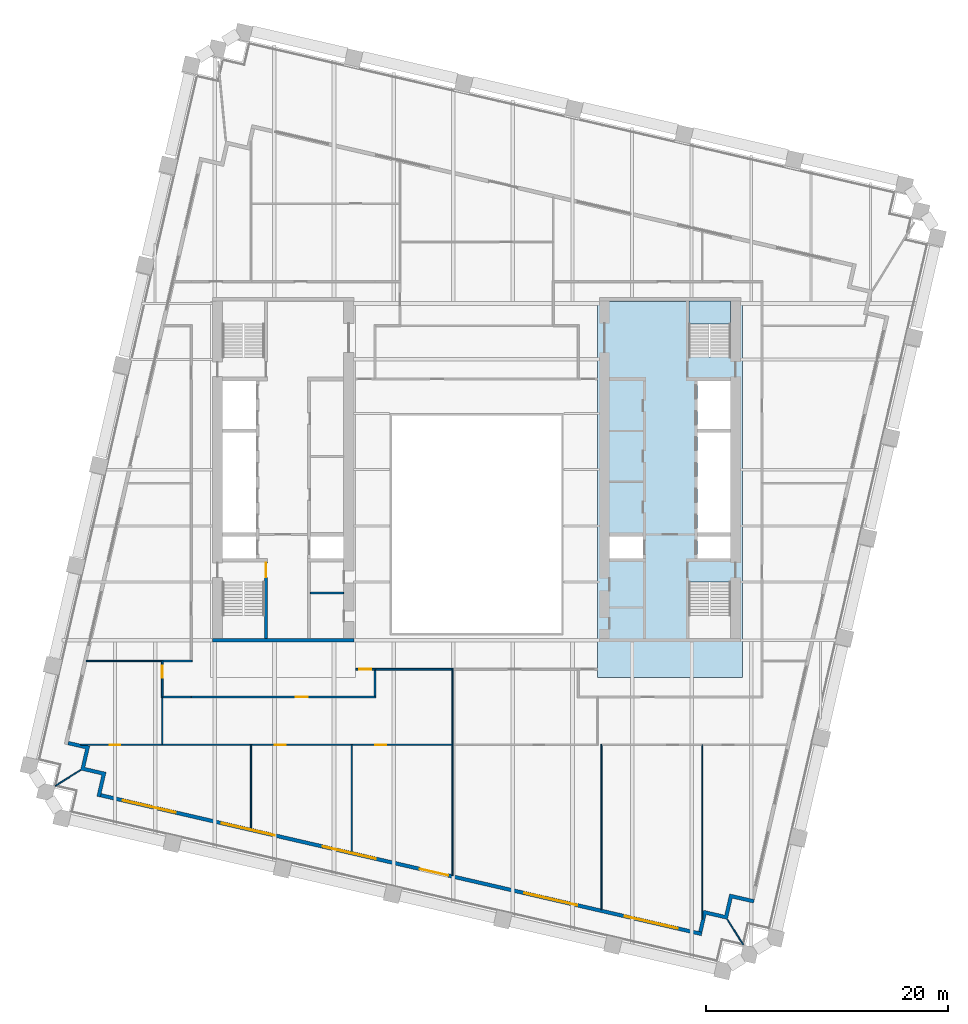
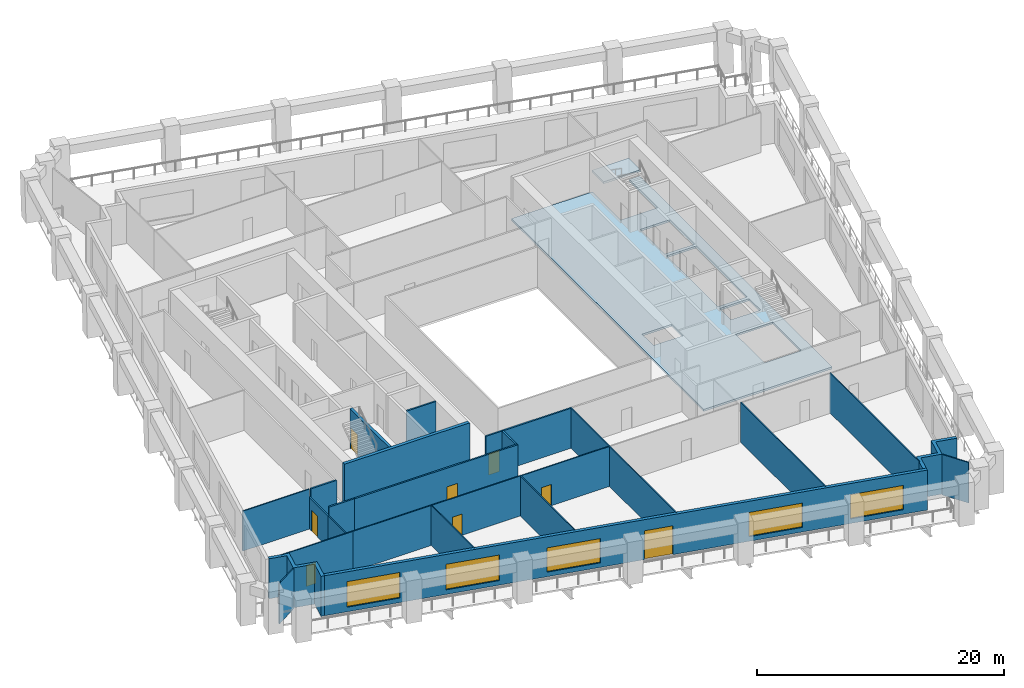
# One storey, part 3 of 10: 27 walls, 8 doors, 5 windows, 2 slabs, 13 openings, 1 element without a shape of its own.
"""IFC4 building model written with IfcOpenShell, lengths in metres."""

from ifc_helpers import new_model, si_unit, direction, frame, frame_2d, origin, place, context, subcontext, project, spatial, polyline, rectangle, outline, extrude, material, layer, layer_set, type_object, element, fill, aggregate, save


model = new_model("IFC4")

# Units and contexts
model_context = context("Model", 3, precision=1e-05, world=origin(), true_north=direction((0.0, 1.0)))
body_context = subcontext(model_context, "Body", "Model", "MODEL_VIEW")
ifc_project = project(units=[si_unit("LENGTHUNIT", "METRE"), si_unit("AREAUNIT", "SQUARE_METRE"), si_unit("VOLUMEUNIT", "CUBIC_METRE"), si_unit("PLANEANGLEUNIT", "RADIAN"), si_unit("MASSUNIT", "GRAM", prefix="KILO")], contexts=[model_context])

# Site, building, storey
site_placement = place(None, origin())
site = spatial("IfcSite", under=ifc_project, at=site_placement, CompositionType="ELEMENT")
building_placement = place(site_placement, origin())
building = spatial("IfcBuilding", under=site, at=building_placement, Name="Ogive Exchange Tower", CompositionType="ELEMENT")
storey_placement = place(building_placement, frame((0.0, 0.0, 151.800048828125)))
storey = spatial("IfcBuildingStorey", under=building, at=storey_placement, Name="L33", CompositionType="ELEMENT", Elevation=151.800048828125)

# Slab
ifc_material_1 = material(Name="Concrete C70/85", Category="concrete")
ifc_layer_1 = layer(ifc_material_1, 0.199951171875)
ifc_layer_set_1 = layer_set([ifc_layer_1], Name="Core floor slab 200")
slab_type_1 = type_object("IfcSlabType", Name="Core floor slab 200", PredefinedType="FLOOR", material=ifc_layer_set_1)
slab_1_placement = place(storey_placement, frame((0.0, 0.0, -0.199951171875)))
element("IfcSlab", 1, at=slab_1_placement, inside=storey, type_object=slab_type_1, Name="Core floor slab", PredefinedType="FLOOR", context=body_context, shape_type="SweptSolid", body=[
    extrude(outline(polyline([(22.0, 25.39990234375), (22.0, -5.699951171875), (10.0, -5.699951171875), (10.0, 25.39990234375), (17.550048828125, 25.39990234375), (17.550048828125, 20.803955078125), (21.0, 20.803955078125), (21.0, 25.39990234375), (22.0, 25.39990234375)]), holes=[polyline([(21.0, 2.196044921875), (17.550048828125, 2.196044921875), (17.550048828125, -2.449951171875), (21.0, -2.449951171875), (21.0, 2.196044921875)]), polyline([(13.75, 5.992919921875), (11.0, 5.992919921875), (11.0, 4.14990234375), (13.75, 4.14990234375), (13.75, 5.992919921875)]), polyline([(21.0, 5.992919921875), (18.25, 5.992919921875), (18.25, 4.14990234375), (21.0, 4.14990234375), (21.0, 5.992919921875)]), polyline([(18.25, 14.564208984375), (18.25, 6.29296875), (21.0, 6.29296875), (21.0, 14.564208984375), (18.25, 14.564208984375)]), polyline([(21.0, 18.85009765625), (18.25, 18.85009765625), (18.25, 14.8642578125), (21.0, 14.8642578125), (21.0, 18.85009765625)])]), origin(), (0.0, 0.0, 1.0), 0.199951171875),
])

# Stair, slab
ifc_material_2 = material(Name="Concrete C40/50", Category="concrete")
stair_type = type_object("IfcStairType", Name="Exit stair 1650 wide", PredefinedType="HALF_TURN_STAIR", material=ifc_material_2)
stair_placement = place(storey_placement, origin())
stair = element("IfcStair", 2, at=stair_placement, inside=storey, type_object=stair_type, Name="L33 exit stair ST4", PredefinedType="HALF_TURN_STAIR")
ifc_layer_2 = layer(ifc_material_2, 0.199951171875)
ifc_layer_set_2 = layer_set([ifc_layer_2], Name="Stair landing 200 slab")
slab_type_2 = type_object("IfcSlabType", Name="Stair landing 200 slab", PredefinedType="LANDING", material=ifc_layer_set_2)
slab_2_placement = place(storey_placement, frame((0.0, 0.0, 1.89990234375)))
slab_2 = element("IfcSlab", 3, at=slab_2_placement, type_object=slab_type_2, Name="ST4 landing 1", PredefinedType="LANDING", context=body_context, shape_type="SweptSolid", body=[
    extrude(outline(polyline([(21.0, 23.550048828125), (21.0, 25.449951171875), (17.550048828125, 25.449951171875), (17.550048828125, 23.550048828125), (21.0, 23.550048828125)])), origin(), (0.0, 0.0, 1.0), 0.199951171875),
])
aggregate(stair, [slab_2])

# Wall
ifc_material_3 = material(Name="Gypsum board partition")
ifc_layer_3 = layer(ifc_material_3, 0.14990234375)
ifc_layer_set_3 = layer_set([ifc_layer_3], Name="Core room partition 150 gypsum")
wall_type_1 = type_object("IfcWallType", Name="Core room partition 150 gypsum", PredefinedType="PARTITIONING", material=ifc_layer_set_3)
wall_1_placement = place(storey_placement, frame((-13.75, 1.300048828125, 0.0), z_axis=(0.0, 0.0, 1.0), x_axis=(1.0, 0.0, 0.0)))
element("IfcWall", 4, at=wall_1_placement, inside=storey, type_object=wall_type_1, Name="W south room partition", PredefinedType="PARTITIONING", context=body_context, shape_type="SweptSolid", body=[
    extrude(rectangle(XDim=2.75, YDim=0.14990234375, at=frame_2d((1.375, 0.0))), origin(), (0.0, 0.0, 1.0), 3.949951171875),
])

# Wall, opening, door
ifc_material_4 = material(Name="Fire partition EI 60 150")
ifc_layer_4 = layer(ifc_material_4, 0.14990234375)
ifc_layer_set_4 = layer_set([ifc_layer_4], Name="Fire partition EI 60 150")
wall_type_2 = type_object("IfcWallType", Name="Fire partition EI 60 150", PredefinedType="PARTITIONING", material=ifc_layer_set_4)
wall_2_placement = place(storey_placement, frame((-26.0, -7.364990234375, 0.0), z_axis=(0.0, 0.0, 1.0), x_axis=(0.0, 1.0, 0.0)))
wall_2 = element("IfcWall", 5, at=wall_2_placement, inside=storey, type_object=wall_type_2, Name="L33-PWL-003", PredefinedType="PARTITIONING", context=body_context, shape_type="SweptSolid", body=[
    extrude(rectangle(XDim=3.094970703125, YDim=0.14990234375, at=frame_2d((1.54736328125, 0.0))), origin(), (0.0, 0.0, 1.0), 3.114013671875),
])
opening_1_placement = place(wall_2_placement, frame((1.64501953125, 0.0, 0.0)))
opening_1 = element("IfcOpeningElement", 6, at=opening_1_placement, cuts=wall_2, Name="Opening L33-I16", PredefinedType="OPENING", context=body_context, shape_type="SweptSolid", body=[
    extrude(rectangle(XDim=1.0, YDim=2.10009765625, at=frame_2d((0.5, 1.050048828125))), frame((0.0, 0.0849609375, 0.0), z_axis=(0.0, -1.0, 0.0), x_axis=(1.0, 0.0, 0.0)), (0.0, 0.0, 1.0), 0.169921875),
])
ifc_material_5 = material(Name="Fire door FD 30S 1000 x 2100")
door_type_1 = type_object("IfcDoorType", Name="Fire door FD 30S 1000 x 2100", OperationType="NOTDEFINED", PredefinedType="DOOR", material=ifc_material_5)
door_1_placement = place(opening_1_placement, origin())
door_1 = element("IfcDoor", 7, at=door_1_placement, inside=storey, type_object=door_type_1, Name="L33-IDR-016", ObjectType="DT3", OperationType="SINGLE_SWING_LEFT", OverallHeight=2.10009765625, OverallWidth=1.0, PredefinedType="DOOR", context=body_context, shape_type="SweptSolid", body=[
    extrude(rectangle(XDim=1.0, YDim=2.10009765625, at=frame_2d((0.5, 1.050048828125))), frame((0.0, 0.02490234375, 0.0), z_axis=(0.0, -1.0, 0.0), x_axis=(1.0, 0.0, 0.0)), (0.0, 0.0, 1.0), 0.050048828125),
])
fill(opening_1, door_1)

# Walls
wall_3_placement = place(storey_placement, frame((-25.925048828125, -4.320068359375, 0.0), z_axis=(0.0, 0.0, 1.0), x_axis=(1.0, 0.0, 0.0)))
element("IfcWall", 8, at=wall_3_placement, inside=storey, type_object=wall_type_2, Name="L33-PWL-005", PredefinedType="PARTITIONING", context=body_context, shape_type="SweptSolid", body=[
    extrude(rectangle(XDim=2.400146484375, YDim=0.14990234375, at=frame_2d((1.2001953125, 0.0))), origin(), (0.0, 0.0, 1.0), 3.949951171875),
])
wall_4_placement = place(storey_placement, frame((-23.60009765625, -7.2900390625, 0.0), z_axis=(0.0, 0.0, 1.0), x_axis=(-1.0, 0.0, 0.0)))
element("IfcWall", 9, at=wall_4_placement, inside=storey, type_object=wall_type_2, Name="L33-PWL-007", PredefinedType="PARTITIONING", context=body_context, shape_type="SweptSolid", body=[
    extrude(rectangle(XDim=2.349853515625, YDim=0.14990234375, at=frame_2d((1.1748046875, 0.0))), origin(), (0.0, 0.0, 1.0), 3.949951171875),
])

# Wall, opening, door
wall_5_placement = place(storey_placement, frame((-8.324951171875, -7.300048828125, 0.0), z_axis=(0.0, 0.0, 1.0), x_axis=(-1.0, 0.0, 0.0)))
wall_5 = element("IfcWall", 10, at=wall_5_placement, inside=storey, type_object=wall_type_2, Name="L33-PWL-021", PredefinedType="PARTITIONING", context=body_context, shape_type="SweptSolid", body=[
    extrude(rectangle(XDim=15.275146484375, YDim=0.14990234375, at=frame_2d((7.6376953125, 0.0))), origin(), (0.0, 0.0, 1.0), 3.949951171875),
])
opening_2_placement = place(wall_5_placement, frame((5.625, 0.0, 0.0)))
opening_2 = element("IfcOpeningElement", 11, at=opening_2_placement, cuts=wall_5, Name="Opening L33-I15", PredefinedType="OPENING", context=body_context, shape_type="SweptSolid", body=[
    extrude(rectangle(XDim=1.0, YDim=2.10009765625, at=frame_2d((0.5, 1.050048828125))), frame((0.0, 0.0849609375, 0.0), z_axis=(0.0, -1.0, 0.0), x_axis=(1.0, 0.0, 0.0)), (0.0, 0.0, 1.0), 0.169921875),
])
door_2_placement = place(opening_2_placement, origin())
door_2 = element("IfcDoor", 12, at=door_2_placement, inside=storey, type_object=door_type_1, Name="L33-IDR-015", ObjectType="DT3", OperationType="SINGLE_SWING_LEFT", OverallHeight=2.10009765625, OverallWidth=1.0, PredefinedType="DOOR", context=body_context, shape_type="SweptSolid", body=[
    extrude(rectangle(XDim=1.0, YDim=2.10009765625, at=frame_2d((0.5, 1.050048828125))), frame((0.0, 0.02490234375, 0.0), z_axis=(0.0, -1.0, 0.0), x_axis=(1.0, 0.0, 0.0)), (0.0, 0.0, 1.0), 0.050048828125),
])
fill(opening_2, door_2)

# Walls
wall_6_placement = place(storey_placement, frame((-8.39990234375, -4.925048828125, 0.0), z_axis=(0.0, 0.0, 1.0), x_axis=(0.0, -1.0, 0.0)))
element("IfcWall", 13, at=wall_6_placement, inside=storey, type_object=wall_type_2, Name="L33-PWL-022", PredefinedType="PARTITIONING", context=body_context, shape_type="SweptSolid", body=[
    extrude(rectangle(XDim=2.300048828125, YDim=0.14990234375, at=frame_2d((1.14990234375, 0.0))), origin(), (0.0, 0.0, 1.0), 3.949951171875),
])
wall_7_placement = place(storey_placement, frame((-2.0400390625, -5.0, 0.0), z_axis=(0.0, 0.0, 1.0), x_axis=(-1.0, 0.0, 0.0)))
element("IfcWall", 14, at=wall_7_placement, inside=storey, type_object=wall_type_2, Name="L33-PWL-036", PredefinedType="PARTITIONING", context=body_context, shape_type="SweptSolid", body=[
    extrude(rectangle(XDim=6.284912109375, YDim=0.14990234375, at=frame_2d((3.142578125, 0.0))), origin(), (0.0, 0.0, 1.0), 3.949951171875),
])

# Wall, opening, door
wall_8_placement = place(storey_placement, frame((-8.39990234375, -5.0, 0.0), z_axis=(0.0, 0.0, 1.0), x_axis=(-1.0, 0.0, 0.0)))
wall_8 = element("IfcWall", 15, at=wall_8_placement, inside=storey, type_object=wall_type_2, Name="L33-PWL-065", PredefinedType="PARTITIONING", context=body_context, shape_type="SweptSolid", body=[
    extrude(rectangle(XDim=1.60009765625, YDim=0.14990234375, at=frame_2d((0.800048828125, 0.0))), origin(), (0.0, 0.0, 1.0), 3.949951171875),
])
opening_3_placement = place(wall_8_placement, frame((0.300048828125, 0.0, 0.0)))
opening_3 = element("IfcOpeningElement", 16, at=opening_3_placement, cuts=wall_8, Name="Opening L33-I24", PredefinedType="OPENING", context=body_context, shape_type="SweptSolid", body=[
    extrude(rectangle(XDim=1.0, YDim=2.10009765625, at=frame_2d((0.5, 1.050048828125))), frame((0.0, 0.0849609375, 0.0), z_axis=(0.0, -1.0, 0.0), x_axis=(1.0, 0.0, 0.0)), (0.0, 0.0, 1.0), 0.169921875),
])
door_3_placement = place(opening_3_placement, origin())
door_3 = element("IfcDoor", 17, at=door_3_placement, inside=storey, type_object=door_type_1, Name="L33-IDR-024", ObjectType="DT3", OperationType="SINGLE_SWING_RIGHT", OverallHeight=2.10009765625, OverallWidth=1.0, PredefinedType="DOOR", context=body_context, shape_type="SweptSolid", body=[
    extrude(rectangle(XDim=1.0, YDim=2.10009765625, at=frame_2d((0.5, 1.050048828125))), frame((0.0, 0.02490234375, 0.0), z_axis=(0.0, -1.0, 0.0), x_axis=(1.0, 0.0, 0.0)), (0.0, 0.0, 1.0), 0.050048828125),
])
fill(opening_3, door_3)

# Wall, openings, door, windows
ifc_material_6 = material(Name="Precast concrete C40/50", Category="concrete")
ifc_layer_5 = layer(ifc_material_6, 0.300048828125)
ifc_layer_set_5 = layer_set([ifc_layer_5], Name="Limestone-faced wall 300")
wall_type_3 = type_object("IfcWallType", Name="Limestone-faced wall 300", PredefinedType="STANDARD", material=ifc_layer_set_5)
wall_9_placement = place(storey_placement, frame((-31.07763671875, -15.4208984375, 0.0), z_axis=(0.0, 0.0, 1.0), x_axis=(0.974370456532, -0.224949357493, 0.0)))
wall_9 = element("IfcWall", 18, at=wall_9_placement, inside=storey, type_object=wall_type_3, Name="External wall S1", PredefinedType="STANDARD", context=body_context, shape_type="SweptSolid", body=[
    extrude(rectangle(XDim=51.0, YDim=0.300048828125, at=frame_2d((25.5, 0.0))), origin(), (0.0, 0.0, 1.0), 3.949951171875),
])
opening_4_placement = place(wall_9_placement, frame((1.875, 0.0, 0.449951171875)))
opening_4 = element("IfcOpeningElement", 19, at=opening_4_placement, cuts=wall_9, Name="Opening W1N", PredefinedType="OPENING", context=body_context, shape_type="SweptSolid", body=[
    extrude(rectangle(XDim=4.5, YDim=2.52490234375, at=frame_2d((2.25, 1.262451171875))), frame((0.0, 0.159912109375, 0.0), z_axis=(0.0, -1.0, 0.0), x_axis=(1.0, 0.0, 0.0)), (0.0, 0.0, 1.0), 0.320068359375),
])
opening_5_placement = place(wall_9_placement, frame((10.27490234375, 0.0, 0.449951171875)))
opening_5 = element("IfcOpeningElement", 20, at=opening_5_placement, cuts=wall_9, Name="Opening W1N", PredefinedType="OPENING", context=body_context, shape_type="SweptSolid", body=[
    extrude(rectangle(XDim=4.5, YDim=2.52490234375, at=frame_2d((2.25, 1.262451171875))), frame((0.0, 0.159912109375, 0.0), z_axis=(0.0, -1.0, 0.0), x_axis=(1.0, 0.0, 0.0)), (0.0, 0.0, 1.0), 0.320068359375),
])
opening_6_placement = place(wall_9_placement, frame((18.824951171875, 0.0, 0.449951171875)))
opening_6 = element("IfcOpeningElement", 21, at=opening_6_placement, cuts=wall_9, Name="Opening W1R", PredefinedType="OPENING", context=body_context, shape_type="SweptSolid", body=[
    extrude(rectangle(XDim=4.5, YDim=2.39990234375, at=frame_2d((2.25, 1.199951171875))), frame((0.0, 0.159912109375, 0.0), z_axis=(0.0, -1.0, 0.0), x_axis=(1.0, 0.0, 0.0)), (0.0, 0.0, 1.0), 0.320068359375),
])
opening_7_placement = place(wall_9_placement, frame((27.074951171875, 0.0, 0.0)))
opening_7 = element("IfcOpeningElement", 22, at=opening_7_placement, cuts=wall_9, Name="Opening D1R", PredefinedType="OPENING", context=body_context, shape_type="SweptSolid", body=[
    extrude(rectangle(XDim=2.39990234375, YDim=2.85009765625, at=frame_2d((1.199951171875, 1.425048828125))), frame((0.0, 0.159912109375, 0.0), z_axis=(0.0, -1.0, 0.0), x_axis=(1.0, 0.0, 0.0)), (0.0, 0.0, 1.0), 0.320068359375),
])
opening_8_placement = place(wall_9_placement, frame((35.925048828125, 0.0, 0.449951171875)))
opening_8 = element("IfcOpeningElement", 23, at=opening_8_placement, cuts=wall_9, Name="Opening W1R", PredefinedType="OPENING", context=body_context, shape_type="SweptSolid", body=[
    extrude(rectangle(XDim=4.5, YDim=2.39990234375, at=frame_2d((2.25, 1.199951171875))), frame((0.0, 0.159912109375, 0.0), z_axis=(0.0, -1.0, 0.0), x_axis=(1.0, 0.0, 0.0)), (0.0, 0.0, 1.0), 0.320068359375),
])
opening_9_placement = place(wall_9_placement, frame((44.47509765625, 0.0, 0.449951171875)))
opening_9 = element("IfcOpeningElement", 24, at=opening_9_placement, cuts=wall_9, Name="Opening W1R", PredefinedType="OPENING", context=body_context, shape_type="SweptSolid", body=[
    extrude(rectangle(XDim=4.5, YDim=2.39990234375, at=frame_2d((2.25, 1.199951171875))), frame((0.0, 0.159912109375, 0.0), z_axis=(0.0, -1.0, 0.0), x_axis=(1.0, 0.0, 0.0)), (0.0, 0.0, 1.0), 0.320068359375),
])
ifc_material_7 = material(Name="Clear glass in bronze frame", Category="glass")
door_type_2 = type_object("IfcDoorType", Name="Sliding loggia door 2400 x 2850", OperationType="DOUBLE_DOOR_SLIDING", PredefinedType="DOOR", material=ifc_material_7)
door_4_placement = place(opening_7_placement, origin())
door_4 = element("IfcDoor", 25, at=door_4_placement, inside=storey, type_object=door_type_2, Name="Loggia door S03", OperationType="DOUBLE_DOOR_SLIDING", OverallHeight=2.85009765625, OverallWidth=2.39990234375, PredefinedType="DOOR", context=body_context, shape_type="SweptSolid", body=[
    extrude(rectangle(XDim=2.39990234375, YDim=2.85009765625, at=frame_2d((1.199951171875, 1.425048828125))), frame((0.0, 0.02490234375, 0.0), z_axis=(0.0, -1.0, 0.0), x_axis=(1.0, 0.0, 0.0)), (0.0, 0.0, 1.0), 0.050048828125),
])
fill(opening_7, door_4)
window_type_1 = type_object("IfcWindowType", Name="Twin lancet window 4500 x 2400", PartitioningType="DOUBLE_PANEL_VERTICAL", PredefinedType="WINDOW", material=ifc_material_7)
window_1_placement = place(opening_6_placement, origin())
window_1 = element("IfcWindow", 26, at=window_1_placement, inside=storey, type_object=window_type_1, Name="Window S02", OverallHeight=2.39990234375, OverallWidth=4.5, PartitioningType="DOUBLE_PANEL_VERTICAL", PredefinedType="WINDOW", context=body_context, shape_type="SweptSolid", body=[
    extrude(rectangle(XDim=4.5, YDim=2.39990234375, at=frame_2d((2.25, 1.199951171875))), frame((0.0, 0.030029296875, 0.0), z_axis=(0.0, -1.0, 0.0), x_axis=(1.0, 0.0, 0.0)), (0.0, 0.0, 1.0), 0.06005859375),
])
fill(opening_6, window_1)
window_2_placement = place(opening_8_placement, origin())
window_2 = element("IfcWindow", 27, at=window_2_placement, inside=storey, type_object=window_type_1, Name="Window S04", OverallHeight=2.39990234375, OverallWidth=4.5, PartitioningType="DOUBLE_PANEL_VERTICAL", PredefinedType="WINDOW", context=body_context, shape_type="SweptSolid", body=[
    extrude(rectangle(XDim=4.5, YDim=2.39990234375, at=frame_2d((2.25, 1.199951171875))), frame((0.0, 0.030029296875, 0.0), z_axis=(0.0, -1.0, 0.0), x_axis=(1.0, 0.0, 0.0)), (0.0, 0.0, 1.0), 0.06005859375),
])
fill(opening_8, window_2)
window_3_placement = place(opening_9_placement, origin())
window_3 = element("IfcWindow", 28, at=window_3_placement, inside=storey, type_object=window_type_1, Name="Window S05", OverallHeight=2.39990234375, OverallWidth=4.5, PartitioningType="DOUBLE_PANEL_VERTICAL", PredefinedType="WINDOW", context=body_context, shape_type="SweptSolid", body=[
    extrude(rectangle(XDim=4.5, YDim=2.39990234375, at=frame_2d((2.25, 1.199951171875))), frame((0.0, 0.030029296875, 0.0), z_axis=(0.0, -1.0, 0.0), x_axis=(1.0, 0.0, 0.0)), (0.0, 0.0, 1.0), 0.06005859375),
])
fill(opening_9, window_3)
window_type_2 = type_object("IfcWindowType", Name="Twin lancet window 4500 x 2525", PartitioningType="DOUBLE_PANEL_VERTICAL", PredefinedType="WINDOW", material=ifc_material_7)
window_4_placement = place(opening_4_placement, origin())
window_4 = element("IfcWindow", 29, at=window_4_placement, inside=storey, type_object=window_type_2, Name="Window S00", OverallHeight=2.52490234375, OverallWidth=4.5, PartitioningType="DOUBLE_PANEL_VERTICAL", PredefinedType="WINDOW", context=body_context, shape_type="SweptSolid", body=[
    extrude(rectangle(XDim=4.5, YDim=2.52490234375, at=frame_2d((2.25, 1.262451171875))), frame((0.0, 0.030029296875, 0.0), z_axis=(0.0, -1.0, 0.0), x_axis=(1.0, 0.0, 0.0)), (0.0, 0.0, 1.0), 0.06005859375),
])
fill(opening_4, window_4)
window_5_placement = place(opening_5_placement, origin())
window_5 = element("IfcWindow", 30, at=window_5_placement, inside=storey, type_object=window_type_2, Name="Window S01", OverallHeight=2.52490234375, OverallWidth=4.5, PartitioningType="DOUBLE_PANEL_VERTICAL", PredefinedType="WINDOW", context=body_context, shape_type="SweptSolid", body=[
    extrude(rectangle(XDim=4.5, YDim=2.52490234375, at=frame_2d((2.25, 1.262451171875))), frame((0.0, 0.030029296875, 0.0), z_axis=(0.0, -1.0, 0.0), x_axis=(1.0, 0.0, 0.0)), (0.0, 0.0, 1.0), 0.06005859375),
])
fill(opening_5, window_5)

# Walls
wall_10_placement = place(storey_placement, origin())
element("IfcWall", 31, at=wall_10_placement, inside=storey, type_object=wall_type_3, Name="External corner wall C1", PredefinedType="STANDARD", context=body_context, shape_type="SweptSolid", body=[
    extrude(outline(polyline([(20.515380859375, -25.330810546875), (20.92041015625, -23.576904296875), (22.966552734375, -24.04931640625), (22.89892578125, -24.341552734375), (21.145263671875, -23.936767578125), (20.740234375, -25.690673828125), (18.986328125, -25.28564453125), (18.64892578125, -26.747314453125), (18.356689453125, -26.6796875), (18.76171875, -24.92578125), (20.515380859375, -25.330810546875)])), origin(), (0.0, 0.0, 1.0), 3.949951171875),
])
wall_11_placement = place(storey_placement, origin())
element("IfcWall", 32, at=wall_11_placement, inside=storey, type_object=wall_type_3, Name="External corner wall C4", PredefinedType="STANDARD", context=body_context, shape_type="SweptSolid", body=[
    extrude(outline(polyline([(-32.392822265625, -13.115966796875), (-30.638916015625, -13.52099609375), (-31.111328125, -15.56689453125), (-31.40380859375, -15.49951171875), (-30.998779296875, -13.74560546875), (-32.752685546875, -13.3408203125), (-32.34765625, -11.5869140625), (-33.809326171875, -11.24951171875), (-33.74169921875, -10.957275390625), (-31.98779296875, -11.362060546875), (-32.392822265625, -13.115966796875)])), origin(), (0.0, 0.0, 1.0), 3.949951171875),
])
ifc_material_8 = material(Name="Laminated safety glass in steel frame", Category="steel")
ifc_layer_6 = layer(ifc_material_8, 0.10009765625)
ifc_layer_set_6 = layer_set([ifc_layer_6], Name="Loggia end screen 100")
wall_type_4 = type_object("IfcWallType", Name="Loggia end screen 100", PredefinedType="STANDARD", material=ifc_layer_set_6)
for number, where, z_axis, x_axis, name in (
    (33, (20.740234375, -25.690673828125, -0.050048828125), (0.0, 0.0, 1.0), (0.529972121605, -0.848015064914, 0.0), "Loggia end screen C1"),
    (34, (-32.752685546875, -13.3408203125, -0.050048828125), (0.0, 0.0, 1.0), (-0.848059759764, -0.529900598103, 0.0), "Loggia end screen C4"),
):
    element("IfcWall", number, at=place(storey_placement, frame(where, z_axis=z_axis, x_axis=x_axis)), inside=storey, type_object=wall_type_4, Name=name, PredefinedType="STANDARD", context=body_context, shape_type="SweptSolid", body=[
        extrude(rectangle(XDim=2.454833984375, YDim=0.10009765625, at=frame_2d((1.2275390625, 0.0))), origin(), (0.0, 0.0, 1.0), 4.0),
    ])

# Wall, opening, door
ifc_material_9 = material(Name="Partition 100 gypsum")
ifc_layer_7 = layer(ifc_material_9, 0.10009765625)
ifc_layer_set_7 = layer_set([ifc_layer_7], Name="Partition 100 gypsum")
wall_type_5 = type_object("IfcWallType", Name="Partition 100 gypsum", PredefinedType="PARTITIONING", material=ifc_layer_set_7)
wall_12_placement = place(storey_placement, frame((-26.0, -11.25, 0.0), z_axis=(0.0, 0.0, 1.0), x_axis=(-1.0, 0.0, 0.0)))
wall_12 = element("IfcWall", 35, at=wall_12_placement, inside=storey, type_object=wall_type_5, Name="L33-PWL-001", PredefinedType="PARTITIONING", context=body_context, shape_type="SweptSolid", body=[
    extrude(rectangle(XDim=6.718017578125, YDim=0.10009765625, at=frame_2d((3.35888671875, 0.0))), origin(), (0.0, 0.0, 1.0), 3.949951171875),
])
opening_10_placement = place(wall_12_placement, frame((3.449951171875, 0.0, 0.0)))
opening_10 = element("IfcOpeningElement", 36, at=opening_10_placement, cuts=wall_12, Name="Opening L33-I22", PredefinedType="OPENING", context=body_context, shape_type="SweptSolid", body=[
    extrude(rectangle(XDim=0.89990234375, YDim=2.10009765625, at=frame_2d((0.449951171875, 1.050048828125))), frame((0.0, 0.06005859375, 0.0), z_axis=(0.0, -1.0, 0.0), x_axis=(1.0, 0.0, 0.0)), (0.0, 0.0, 1.0), 0.1201171875),
])
ifc_material_10 = material(Name="Door 900 x 2100")
door_type_3 = type_object("IfcDoorType", Name="Door 900 x 2100", OperationType="NOTDEFINED", PredefinedType="DOOR", material=ifc_material_10)
door_5_placement = place(opening_10_placement, frame((0.89990234375, 0.0, 0.0), z_axis=(0.0, 0.0, 1.0), x_axis=(-1.0, 0.0, 0.0)))
door_5 = element("IfcDoor", 37, at=door_5_placement, inside=storey, type_object=door_type_3, Name="L33-IDR-022", ObjectType="DT1", OperationType="SINGLE_SWING_RIGHT", OverallHeight=2.10009765625, OverallWidth=0.89990234375, PredefinedType="DOOR", context=body_context, shape_type="SweptSolid", body=[
    extrude(rectangle(XDim=0.89990234375, YDim=2.10009765625, at=frame_2d((0.449951171875, 1.050048828125))), frame((0.0, 0.02490234375, 0.0), z_axis=(0.0, -1.0, 0.0), x_axis=(1.0, 0.0, 0.0)), (0.0, 0.0, 1.0), 0.050048828125),
])
fill(opening_10, door_5)

# Walls
wall_13_placement = place(storey_placement, frame((-26.0, -11.199951171875, 0.0), z_axis=(0.0, 0.0, 1.0), x_axis=(0.0, 1.0, 0.0)))
element("IfcWall", 38, at=wall_13_placement, inside=storey, type_object=wall_type_5, Name="L33-PWL-002", PredefinedType="PARTITIONING", context=body_context, shape_type="SweptSolid", body=[
    extrude(rectangle(XDim=3.8349609375, YDim=0.10009765625, at=frame_2d((1.91748046875, 0.0))), origin(), (0.0, 0.0, 1.0), 3.114013671875),
])
wall_14_placement = place(storey_placement, frame((-26.074951171875, -4.320068359375, 0.0), z_axis=(0.0, 0.0, 1.0), x_axis=(-1.0, 0.0, 0.0)))
element("IfcWall", 39, at=wall_14_placement, inside=storey, type_object=wall_type_5, Name="L33-PWL-004", PredefinedType="PARTITIONING", context=body_context, shape_type="SweptSolid", body=[
    extrude(rectangle(XDim=6.217041015625, YDim=0.10009765625, at=frame_2d((3.1083984375, 0.0))), origin(), (0.0, 0.0, 1.0), 3.949951171875),
])
wall_15_placement = place(storey_placement, frame((-18.64990234375, -18.218994140625, 0.0), z_axis=(0.0, 0.0, 1.0), x_axis=(0.0, 1.0, 0.0)))
element("IfcWall", 40, at=wall_15_placement, inside=storey, type_object=wall_type_5, Name="L33-PWL-013", PredefinedType="PARTITIONING", context=body_context, shape_type="SweptSolid", body=[
    extrude(rectangle(XDim=7.01904296875, YDim=0.10009765625, at=frame_2d((3.509521484375, 0.0))), origin(), (0.0, 0.0, 1.0), 3.949951171875),
])
wall_16_placement = place(storey_placement, frame((-18.699951171875, -11.25, 0.0), z_axis=(0.0, 0.0, 1.0), x_axis=(-1.0, 0.0, 0.0)))
element("IfcWall", 41, at=wall_16_placement, inside=storey, type_object=wall_type_5, Name="L33-PWL-014", PredefinedType="PARTITIONING", context=body_context, shape_type="SweptSolid", body=[
    extrude(rectangle(XDim=7.300048828125, YDim=0.10009765625, at=frame_2d((3.64990234375, 0.0))), origin(), (0.0, 0.0, 1.0), 3.949951171875),
])
wall_17_placement = place(storey_placement, frame((-10.320068359375, -20.14208984375, 0.0), z_axis=(0.0, 0.0, 1.0), x_axis=(0.0, 1.0, 0.0)))
element("IfcWall", 42, at=wall_17_placement, inside=storey, type_object=wall_type_5, Name="L33-PWL-019", PredefinedType="PARTITIONING", context=body_context, shape_type="SweptSolid", body=[
    extrude(rectangle(XDim=8.942138671875, YDim=0.10009765625, at=frame_2d((4.47119140625, 0.0))), origin(), (0.0, 0.0, 1.0), 3.949951171875),
])

# Wall, opening, door
wall_18_placement = place(storey_placement, frame((-10.3701171875, -11.25, 0.0), z_axis=(0.0, 0.0, 1.0), x_axis=(-1.0, 0.0, 0.0)))
wall_18 = element("IfcWall", 43, at=wall_18_placement, inside=storey, type_object=wall_type_5, Name="L33-PWL-020", PredefinedType="PARTITIONING", context=body_context, shape_type="SweptSolid", body=[
    extrude(rectangle(XDim=8.22998046875, YDim=0.10009765625, at=frame_2d((4.114990234375, 0.0))), origin(), (0.0, 0.0, 1.0), 3.949951171875),
])
opening_11_placement = place(wall_18_placement, frame((5.429931640625, 0.0, 0.0)))
opening_11 = element("IfcOpeningElement", 44, at=opening_11_placement, cuts=wall_18, Name="Opening L33-I21", PredefinedType="OPENING", context=body_context, shape_type="SweptSolid", body=[
    extrude(rectangle(XDim=0.89990234375, YDim=2.10009765625, at=frame_2d((0.449951171875, 1.050048828125))), frame((0.0, 0.06005859375, 0.0), z_axis=(0.0, -1.0, 0.0), x_axis=(1.0, 0.0, 0.0)), (0.0, 0.0, 1.0), 0.1201171875),
])
door_6_placement = place(opening_11_placement, origin())
door_6 = element("IfcDoor", 45, at=door_6_placement, inside=storey, type_object=door_type_3, Name="L33-IDR-021", ObjectType="DT1", OperationType="SINGLE_SWING_LEFT", OverallHeight=2.10009765625, OverallWidth=0.89990234375, PredefinedType="DOOR", context=body_context, shape_type="SweptSolid", body=[
    extrude(rectangle(XDim=0.89990234375, YDim=2.10009765625, at=frame_2d((0.449951171875, 1.050048828125))), frame((0.0, 0.02490234375, 0.0), z_axis=(0.0, -1.0, 0.0), x_axis=(1.0, 0.0, 0.0)), (0.0, 0.0, 1.0), 0.050048828125),
])
fill(opening_11, door_6)

# Wall
wall_19_placement = place(storey_placement, frame((-1.989990234375, -22.06494140625, 0.0), z_axis=(0.0, 0.0, 1.0), x_axis=(0.0, 1.0, 0.0)))
element("IfcWall", 46, at=wall_19_placement, inside=storey, type_object=wall_type_5, Name="L33-PWL-033", PredefinedType="PARTITIONING", context=body_context, shape_type="SweptSolid", body=[
    extrude(rectangle(XDim=10.864990234375, YDim=0.10009765625, at=frame_2d((5.4326171875, 0.0))), origin(), (0.0, 0.0, 1.0), 3.949951171875),
])

# Wall, opening, door
wall_20_placement = place(storey_placement, frame((-2.0400390625, -11.25, 0.0), z_axis=(0.0, 0.0, 1.0), x_axis=(-1.0, 0.0, 0.0)))
wall_20 = element("IfcWall", 47, at=wall_20_placement, inside=storey, type_object=wall_type_5, Name="L33-PWL-034", PredefinedType="PARTITIONING", context=body_context, shape_type="SweptSolid", body=[
    extrude(rectangle(XDim=8.22998046875, YDim=0.10009765625, at=frame_2d((4.114990234375, 0.0))), origin(), (0.0, 0.0, 1.0), 3.949951171875),
])
opening_12_placement = place(wall_20_placement, frame((5.429931640625, 0.0, 0.0)))
opening_12 = element("IfcOpeningElement", 48, at=opening_12_placement, cuts=wall_20, Name="Opening L33-I20", PredefinedType="OPENING", context=body_context, shape_type="SweptSolid", body=[
    extrude(rectangle(XDim=0.89990234375, YDim=2.10009765625, at=frame_2d((0.449951171875, 1.050048828125))), frame((0.0, 0.06005859375, 0.0), z_axis=(0.0, -1.0, 0.0), x_axis=(1.0, 0.0, 0.0)), (0.0, 0.0, 1.0), 0.1201171875),
])
door_7_placement = place(opening_12_placement, origin())
door_7 = element("IfcDoor", 49, at=door_7_placement, inside=storey, type_object=door_type_3, Name="L33-IDR-020", ObjectType="DT1", OperationType="SINGLE_SWING_LEFT", OverallHeight=2.10009765625, OverallWidth=0.89990234375, PredefinedType="DOOR", context=body_context, shape_type="SweptSolid", body=[
    extrude(rectangle(XDim=0.89990234375, YDim=2.10009765625, at=frame_2d((0.449951171875, 1.050048828125))), frame((0.0, 0.02490234375, 0.0), z_axis=(0.0, -1.0, 0.0), x_axis=(1.0, 0.0, 0.0)), (0.0, 0.0, 1.0), 0.050048828125),
])
fill(opening_12, door_7)

# Walls
wall_21_placement = place(storey_placement, frame((-1.989990234375, -11.199951171875, 0.0), z_axis=(0.0, 0.0, 1.0), x_axis=(0.0, 1.0, 0.0)))
element("IfcWall", 50, at=wall_21_placement, inside=storey, type_object=wall_type_5, Name="L33-PWL-035", PredefinedType="PARTITIONING", context=body_context, shape_type="SweptSolid", body=[
    extrude(rectangle(XDim=6.27490234375, YDim=0.10009765625, at=frame_2d((3.137451171875, 0.0))), origin(), (0.0, 0.0, 1.0), 3.949951171875),
])
wall_22_placement = place(storey_placement, frame((10.320068359375, -24.906982421875, 0.0), z_axis=(0.0, 0.0, 1.0), x_axis=(0.0, 1.0, 0.0)))
element("IfcWall", 51, at=wall_22_placement, inside=storey, type_object=wall_type_5, Name="L33-PWL-049", PredefinedType="PARTITIONING", context=body_context, shape_type="SweptSolid", body=[
    extrude(rectangle(XDim=13.70703125, YDim=0.10009765625, at=frame_2d((6.853515625, 0.0))), origin(), (0.0, 0.0, 1.0), 3.949951171875),
])
wall_23_placement = place(storey_placement, frame((18.64990234375, -25.654052734375, 0.0), z_axis=(0.0, 0.0, 1.0), x_axis=(0.0, 1.0, 0.0)))
element("IfcWall", 52, at=wall_23_placement, inside=storey, type_object=wall_type_5, Name="L33-PWL-050", PredefinedType="PARTITIONING", context=body_context, shape_type="SweptSolid", body=[
    extrude(rectangle(XDim=14.4541015625, YDim=0.10009765625, at=frame_2d((7.22705078125, 0.0))), origin(), (0.0, 0.0, 1.0), 3.949951171875),
])

# Wall, opening, door
ifc_layer_8 = layer(ifc_material_1, 0.25)
ifc_layer_set_8 = layer_set([ifc_layer_8], Name="RC core wall 250 C70/85")
wall_type_6 = type_object("IfcWallType", Name="RC core wall 250 C70/85", PredefinedType="SHEAR", material=ifc_layer_set_8)
wall_24_placement = place(storey_placement, frame((-17.425048828125, -2.449951171875, 0.0), z_axis=(0.0, 0.0, 1.0), x_axis=(0.0, 1.0, 0.0)))
wall_24 = element("IfcWall", 53, at=wall_24_placement, inside=storey, type_object=wall_type_6, Name="W stair S front wall", PredefinedType="SHEAR", context=body_context, shape_type="SweptSolid", body=[
    extrude(rectangle(XDim=6.300048828125, YDim=0.25, at=frame_2d((3.14990234375, 0.0))), origin(), (0.0, 0.0, 1.0), 3.949951171875),
])
opening_13_placement = place(wall_24_placement, frame((5.050048828125, 0.0, 0.0)))
opening_13 = element("IfcOpeningElement", 54, at=opening_13_placement, cuts=wall_24, Name="Opening L33-C13", PredefinedType="OPENING", context=body_context, shape_type="SweptSolid", body=[
    extrude(rectangle(XDim=1.199951171875, YDim=2.10009765625, at=frame_2d((0.60009765625, 1.050048828125))), frame((0.0, 0.135009765625, 0.0), z_axis=(0.0, -1.0, 0.0), x_axis=(1.0, 0.0, 0.0)), (0.0, 0.0, 1.0), 0.27001953125),
])
ifc_material_11 = material(Name="Steel fire door", Category="steel")
door_type_4 = type_object("IfcDoorType", Name="Stair door FD90 1200 x 2100", OperationType="NOTDEFINED", PredefinedType="DOOR", material=ifc_material_11)
door_8_placement = place(opening_13_placement, origin())
door_8 = element("IfcDoor", 55, at=door_8_placement, inside=storey, type_object=door_type_4, Name="Stair door", ObjectType="CD5", OperationType="SINGLE_SWING_LEFT", OverallHeight=2.10009765625, OverallWidth=1.199951171875, PredefinedType="DOOR", context=body_context, shape_type="SweptSolid", body=[
    extrude(rectangle(XDim=1.199951171875, YDim=2.10009765625, at=frame_2d((0.60009765625, 1.050048828125))), frame((0.0, 0.02490234375, 0.0), z_axis=(0.0, -1.0, 0.0), x_axis=(1.0, 0.0, 0.0)), (0.0, 0.0, 1.0), 0.050048828125),
])
fill(opening_13, door_8)

# Wall
ifc_layer_9 = layer(ifc_material_1, 0.300048828125)
ifc_layer_set_9 = layer_set([ifc_layer_9], Name="RC core wall 300 C70/85")
wall_type_7 = type_object("IfcWallType", Name="RC core wall 300 C70/85", PredefinedType="SHEAR", material=ifc_layer_set_9)
wall_25_placement = place(storey_placement, frame((-21.85009765625, -2.60009765625, 0.0), z_axis=(0.0, 0.0, 1.0), x_axis=(1.0, 0.0, 0.0)))
element("IfcWall", 56, at=wall_25_placement, inside=storey, type_object=wall_type_7, Name="W south end wall", PredefinedType="SHEAR", context=body_context, shape_type="SweptSolid", body=[
    extrude(rectangle(XDim=11.7001953125, YDim=0.300048828125, at=frame_2d((5.85009765625, 0.0))), origin(), (0.0, 0.0, 1.0), 3.949951171875),
])

save(model, "model.ifc")
